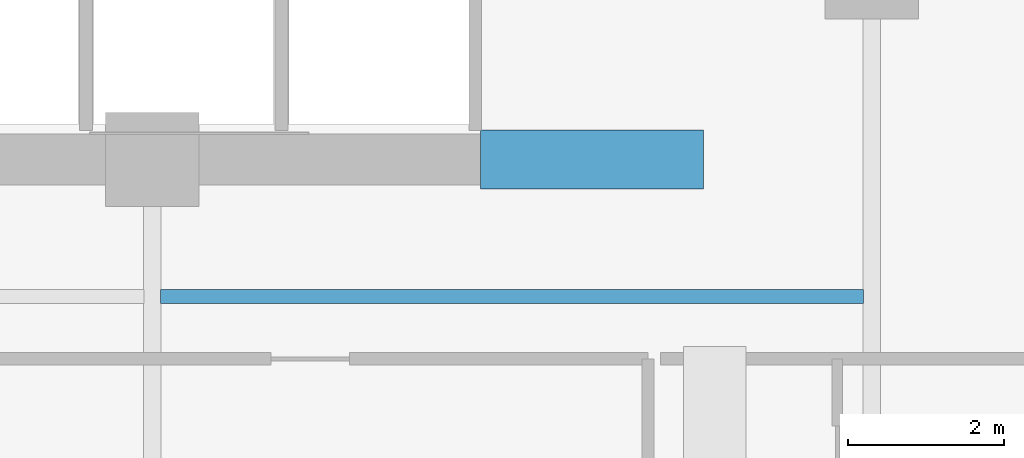
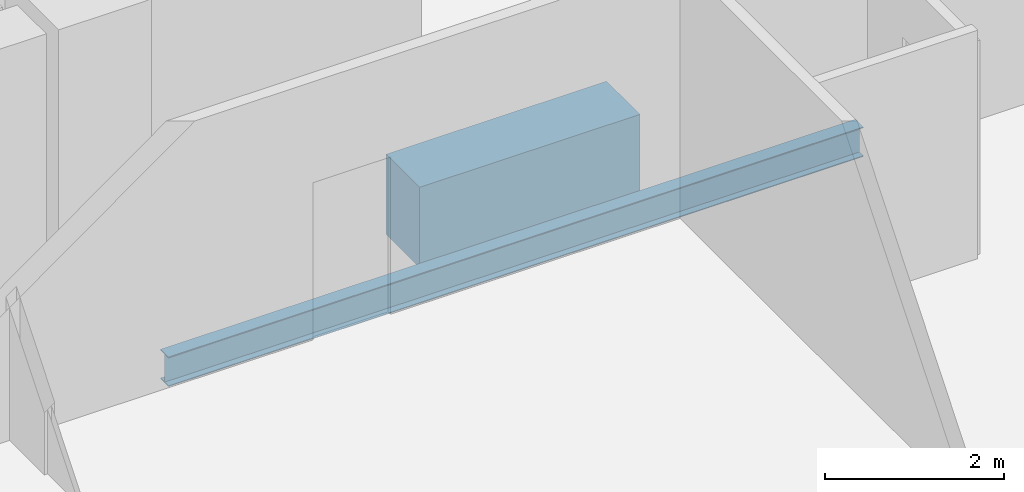
# One storey, part 12 of 33: 2 beams.
"""IFC4 building model written with IfcOpenShell, lengths in metres."""

from ifc_helpers import new_model, si_unit, direction, frame, origin, origin_2d, place, context, subcontext, project, spatial, rectangle, i_section, extrude, material, material_profile, profile_set, type_object, element, save


model = new_model("IFC4")

# Units and contexts
model_context = context("Model", 3, precision=1e-05, world=origin(), true_north=direction((0.0, 1.0)))
body_context = subcontext(model_context, "Body", "Model", "MODEL_VIEW")
ifc_project = project(units=[si_unit("LENGTHUNIT", "METRE"), si_unit("AREAUNIT", "SQUARE_METRE"), si_unit("VOLUMEUNIT", "CUBIC_METRE"), si_unit("PLANEANGLEUNIT", "RADIAN"), si_unit("MASSUNIT", "GRAM", prefix="KILO")], contexts=[model_context])

# Site, building, storey
site_placement = place(None, origin())
site = spatial("IfcSite", under=ifc_project, at=site_placement, CompositionType="ELEMENT")
building_placement = place(site_placement, origin())
building = spatial("IfcBuilding", under=site, at=building_placement, Name="Zuhayl Quay Hotel", CompositionType="ELEMENT")
storey_placement = place(building_placement, frame((0.0, 0.0, 214.89990234375)))
storey = spatial("IfcBuildingStorey", under=building, at=storey_placement, Name="L54", CompositionType="ELEMENT", Elevation=214.89990234375)

# Beams
ifc_material_1 = material(Name="Concrete C60/75", Category="concrete")
ifc_material_profile_1 = material_profile(ifc_material_1, rectangle(XDim=0.75, YDim=1.10009765625, at=origin_2d()), Name="RC750X1100")
ifc_profile_set_1 = profile_set([ifc_material_profile_1], Name="Concrete C60/75")
beam_type_1 = type_object("IfcBeamType", Name="BM_CB2_RC750", PredefinedType="T_BEAM", material=ifc_profile_set_1)
beam_1_placement = place(storey_placement, frame((8.800048828125, 2.14990234375, -0.77001953125), z_axis=(1.0, 0.0, 0.0), x_axis=(0.0, 1.0, 0.0)))
element("IfcBeam", 1, at=beam_1_placement, inside=storey, type_object=beam_type_1, Name="L54 Core Coupling Beam SE", PredefinedType="T_BEAM", context=body_context, shape_type="SweptSolid", body=[
    extrude(rectangle(XDim=0.75, YDim=1.10009765625, at=origin_2d()), origin(), (0.0, 0.0, 1.0), 2.849853515625),
])
ifc_material_2 = material(Name="Steel ASTM A992 Grade 50", Category="steel")
ifc_material_profile_2 = material_profile(ifc_material_2, i_section(OverallWidth=0.177978515625, OverallDepth=0.406005859375, WebThickness=0.0078125, FlangeThickness=0.0126953125, at=origin_2d()), Name="W16X40")
ifc_profile_set_2 = profile_set([ifc_material_profile_2], Name="Steel ASTM A992 Grade 50")
beam_type_2 = type_object("IfcBeamType", Name="BM_J2B_W16X40", PredefinedType="JOIST", material=ifc_profile_set_2)
beam_2_placement = place(storey_placement, frame((4.7060546875, 0.39990234375, -0.4228515625), z_axis=(1.0, 0.0, 0.0), x_axis=(0.0, 1.0, 0.0)))
element("IfcBeam", 2, at=beam_2_placement, inside=storey, type_object=beam_type_2, Name="L54 Floor Beam FJ_L54_8_3", PredefinedType="JOIST", context=body_context, shape_type="SweptSolid", body=[
    extrude(i_section(OverallWidth=0.177978515625, OverallDepth=0.406005859375, WebThickness=0.0078125, FlangeThickness=0.0126953125, at=origin_2d()), origin(), (0.0, 0.0, 1.0), 8.988037109375),
])

save(model, "model.ifc")
